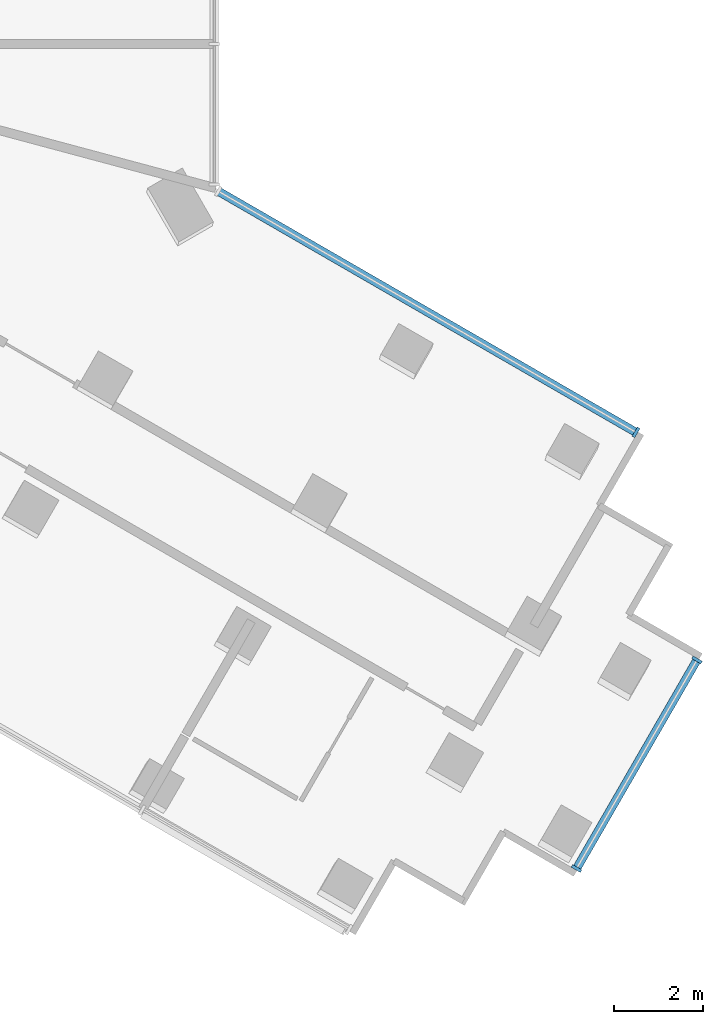
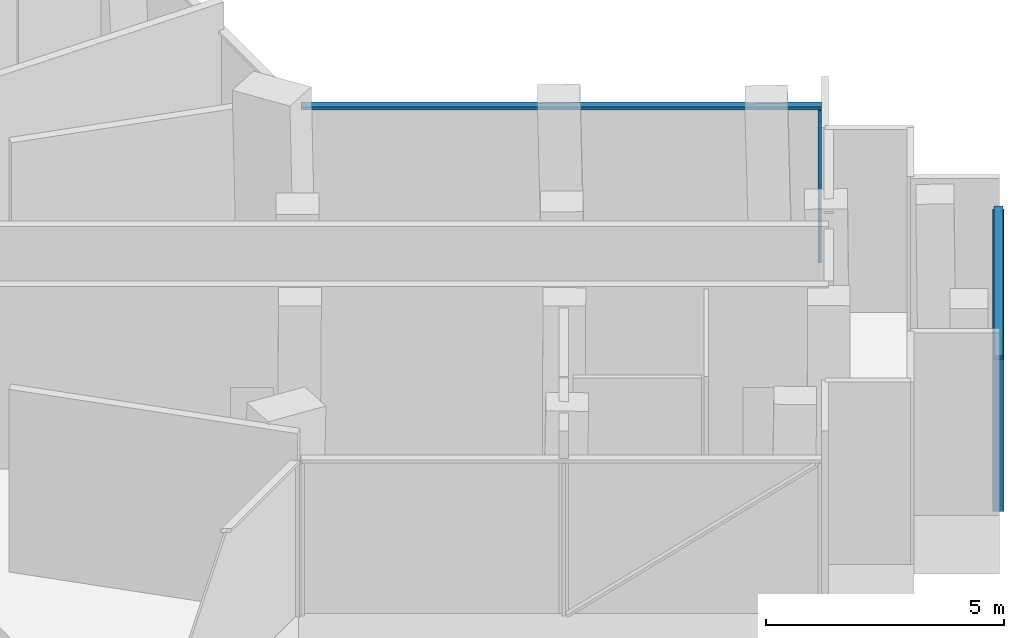
# One storey, part 6 of 16: 5 members, 2 elements without a shape of their own.
"""IFC4 building model written with IfcOpenShell, lengths in metres."""

from ifc_helpers import new_model, si_unit, direction, frame, origin, origin_2d, place, context, subcontext, project, spatial, rectangle, extrude, material, layer, layer_set, material_profile, profile_set, type_object, element, aggregate, save


model = new_model("IFC4")

# Units and contexts
model_context = context("Model", 3, precision=1e-05, world=origin(), true_north=direction((0.0, 1.0)))
body_context = subcontext(model_context, "Body", "Model", "MODEL_VIEW")
ifc_project = project(units=[si_unit("LENGTHUNIT", "METRE"), si_unit("AREAUNIT", "SQUARE_METRE"), si_unit("VOLUMEUNIT", "CUBIC_METRE"), si_unit("PLANEANGLEUNIT", "RADIAN"), si_unit("MASSUNIT", "GRAM", prefix="KILO")], contexts=[model_context])

# Site, building, storey
site_placement = place(None, origin())
site = spatial("IfcSite", under=ifc_project, at=site_placement, CompositionType="ELEMENT")
building_placement = place(site_placement, origin())
building = spatial("IfcBuilding", under=site, at=building_placement, Name="Verdalira Terraces Hotel", CompositionType="ELEMENT")
storey_placement = place(building_placement, frame((0.0, 0.0, 34.0)))
storey = spatial("IfcBuildingStorey", under=building, at=storey_placement, Name="L06", CompositionType="ELEMENT", Elevation=34.0)

# Curtain wall, members
ifc_material_1 = material(Name="Clear glass", Category="glass")
ifc_layer = layer(ifc_material_1, 0.239990234375)
ifc_layer_set = layer_set([ifc_layer], Name="CW5 curtain wall")
curtain_wall_type = type_object("IfcCurtainWallType", Name="CW5 curtain wall", PredefinedType="NOTDEFINED", material=ifc_layer_set)
curtain_wall_1_placement = place(storey_placement, origin())
curtain_wall_1 = element("IfcCurtainWall", 1, at=curtain_wall_1_placement, inside=storey, type_object=curtain_wall_type, Name="CW5 curtain wall L06 edge 33", PredefinedType="NOTDEFINED")
ifc_material_2 = material(Name="Terracotta frame", Category="masonry")
ifc_material_profile_1 = material_profile(ifc_material_2, rectangle(XDim=0.070068, YDim=0.23999, at=origin_2d()), Name="MU 70x240")
ifc_profile_set_1 = profile_set([ifc_material_profile_1], Name="Terracotta frame")
member_type_1 = type_object("IfcMemberType", Name="CW5 mullion 70x240", PredefinedType="MULLION", material=ifc_profile_set_1)
member_1_placement = place(storey_placement, frame((32.391602, -21.836182, 0.0), z_axis=(0.0, 0.0, 1.0), x_axis=(0.5, 0.866025404, 0.0)))
member_1 = element("IfcMember", 2, at=member_1_placement, type_object=member_type_1, Name="CW5 mullion", PredefinedType="MULLION", context=body_context, shape_type="SweptSolid", body=[
    extrude(rectangle(XDim=0.070068, YDim=0.23999, at=origin_2d()), origin(), (0.0, 0.0, 1.0), 3.915039),
])
member_2_placement = place(storey_placement, frame((35.106445, -17.133789, 0.0), z_axis=(0.0, 0.0, 1.0), x_axis=(0.5, 0.866025404, 0.0)))
member_2 = element("IfcMember", 3, at=member_2_placement, type_object=member_type_1, Name="CW5 mullion", PredefinedType="MULLION", context=body_context, shape_type="SweptSolid", body=[
    extrude(rectangle(XDim=0.070068, YDim=0.23999, at=origin_2d()), origin(), (0.0, 0.0, 1.0), 3.915039),
])

# Curtain wall, member
curtain_wall_2_placement = place(storey_placement, origin())
curtain_wall_2 = element("IfcCurtainWall", 4, at=curtain_wall_2_placement, inside=storey, type_object=curtain_wall_type, Name="CW5 curtain wall L06 edge 38", PredefinedType="NOTDEFINED")
member_3_placement = place(storey_placement, frame((33.732178, -12.004395, 0.0), z_axis=(0.0, 0.0, 1.0), x_axis=(-0.866025404, 0.5, 0.0)))
member_3 = element("IfcMember", 5, at=member_3_placement, type_object=member_type_1, Name="CW5 mullion", PredefinedType="MULLION", context=body_context, shape_type="SweptSolid", body=[
    extrude(rectangle(XDim=0.070068, YDim=0.23999, at=origin_2d()), origin(), (0.0, 0.0, 1.0), 3.915039),
])

# Member
ifc_material_3 = material(Name="Terracotta frame", Category="masonry")
ifc_material_profile_2 = material_profile(ifc_material_3, rectangle(XDim=0.189941, YDim=0.074951, at=origin_2d()), Name="TR 75x190")
ifc_profile_set_2 = profile_set([ifc_material_profile_2], Name="Terracotta frame")
member_type_2 = type_object("IfcMemberType", Name="CW5 transom 75x190", PredefinedType="USERDEFINED", material=ifc_profile_set_2)
member_4_placement = place(storey_placement, frame((32.374023, -21.866455, 3.952393), z_axis=(0.500015767, 0.8660163, 0.0), x_axis=(-0.8660163, 0.500015767, 0.0)))
member_4 = element("IfcMember", 6, at=member_4_placement, type_object=member_type_2, Name="CW5 transom", ObjectType="TRANSOM", PredefinedType="USERDEFINED", context=body_context, shape_type="SweptSolid", body=[
    extrude(rectangle(XDim=0.189941, YDim=0.074951, at=origin_2d()), origin(), (0.0, 0.0, 1.0), 5.499756),
])

aggregate(curtain_wall_1, [member_1, member_2, member_4])

member_5_placement = place(storey_placement, frame((33.762451, -12.021729, 3.952393), z_axis=(-0.866031729, 0.499989044, 0.0), x_axis=(-0.499989044, -0.866031729, 0.0)))
member_5 = element("IfcMember", 7, at=member_5_placement, type_object=member_type_2, Name="CW5 transom", ObjectType="TRANSOM", PredefinedType="USERDEFINED", context=body_context, shape_type="SweptSolid", body=[
    extrude(rectangle(XDim=0.189941, YDim=0.074951, at=origin_2d()), origin(), (0.0, 0.0, 1.0), 10.939697),
])

aggregate(curtain_wall_2, [member_3, member_5])

save(model, "model.ifc")
